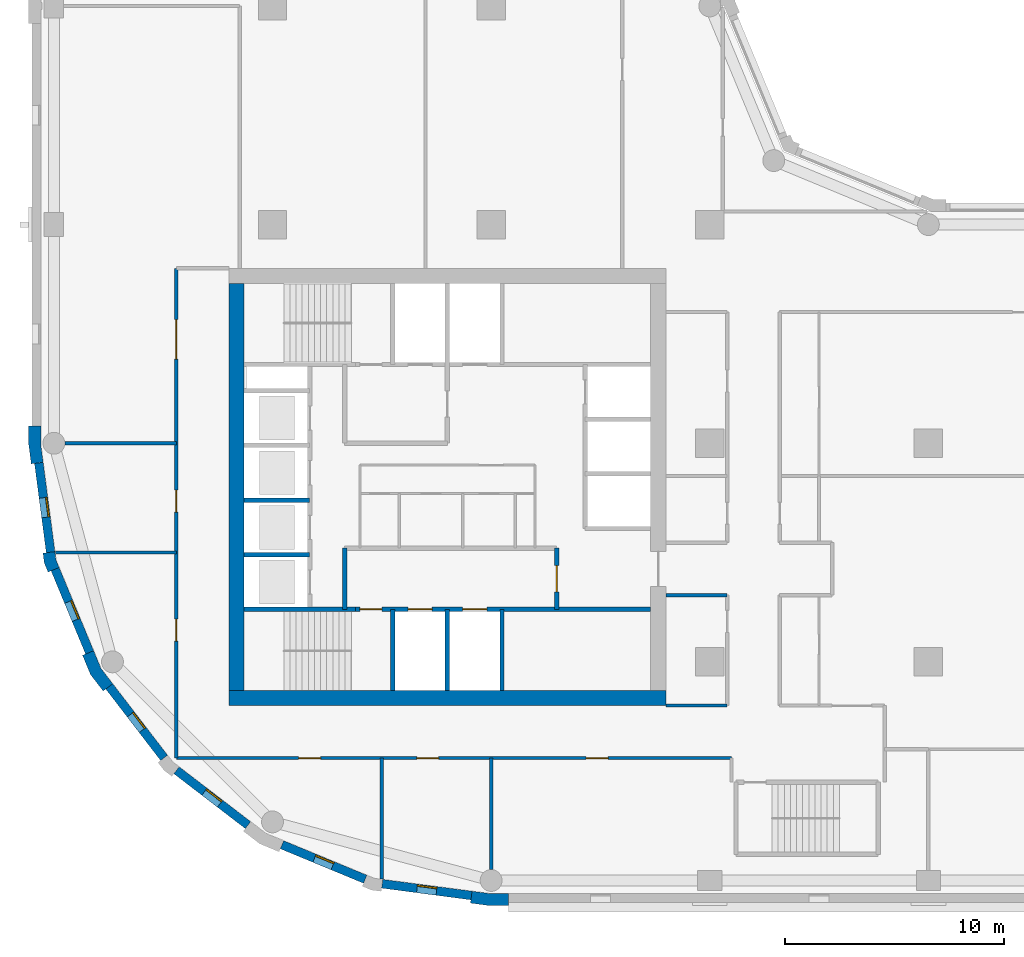
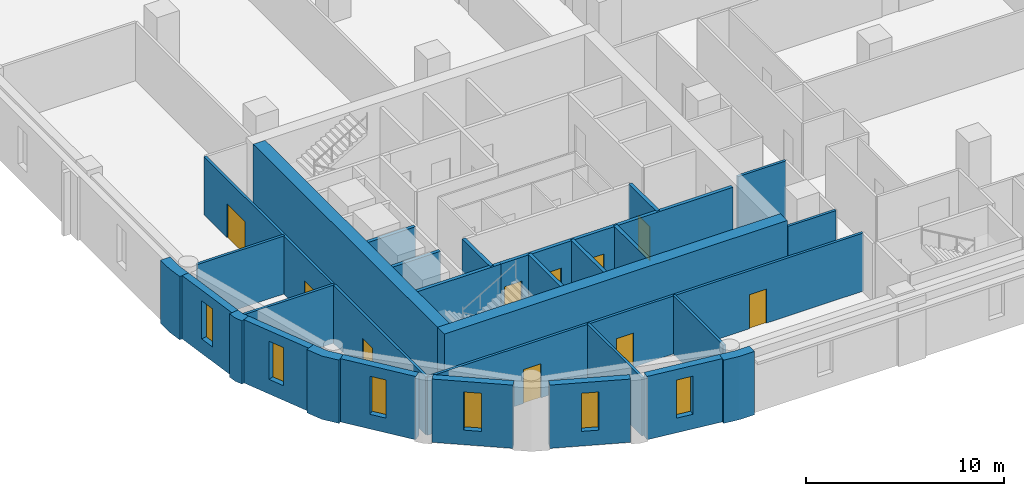
# One storey, part 2 of 9: 29 walls, 10 doors, 6 windows, 16 openings.
"""IFC4 building model written with IfcOpenShell, lengths in metres."""

from ifc_helpers import new_model, si_unit, direction, frame, frame_2d, origin, place, context, subcontext, project, spatial, polyline, rectangle, outline, extrude, material, layer, layer_set, type_object, element, fill, save


model = new_model("IFC4")

# Units and contexts
model_context = context("Model", 3, precision=1e-05, world=origin(), true_north=direction((0.0, 1.0)))
body_context = subcontext(model_context, "Body", "Model", "MODEL_VIEW")
ifc_project = project(units=[si_unit("LENGTHUNIT", "METRE"), si_unit("AREAUNIT", "SQUARE_METRE"), si_unit("VOLUMEUNIT", "CUBIC_METRE"), si_unit("PLANEANGLEUNIT", "RADIAN"), si_unit("MASSUNIT", "GRAM", prefix="KILO")], contexts=[model_context])

# Site, building, storey
site_placement = place(None, origin())
site = spatial("IfcSite", under=ifc_project, at=site_placement, CompositionType="ELEMENT")
building_placement = place(site_placement, origin())
building = spatial("IfcBuilding", under=site, at=building_placement, Name="Qaws Garden Tower", CompositionType="ELEMENT")
storey_placement = place(building_placement, frame((0.0, 0.0, 166.800048828125)))
storey = spatial("IfcBuildingStorey", under=building, at=storey_placement, Name="L40", CompositionType="ELEMENT", Elevation=166.800048828125)

# Wall, opening, window
ifc_material_1 = material(Name="Buff clay facing brick masonry", Category="masonry")
ifc_layer_1 = layer(ifc_material_1, 0.39990234375)
ifc_layer_set_1 = layer_set([ifc_layer_1], Name="Buff clay facing brick masonry")
wall_type_1 = type_object("IfcWallType", Name="Buff brick infill wall 400", PredefinedType="SOLIDWALL", material=ifc_layer_set_1)
wall_1_placement = place(storey_placement, frame((-0.688720703125, 19.102294921875, 0.0), z_axis=(0.0, 0.0, 1.0), x_axis=(0.130514280502, -0.991446429508, 0.0)))
wall_1 = element("IfcWall", 1, at=wall_1_placement, inside=storey, type_object=wall_type_1, Name="E-L40-infill-25", PredefinedType="SOLIDWALL", context=body_context, shape_type="SweptSolid", body=[
    extrude(rectangle(XDim=4.120849609375, YDim=0.39990234375, at=frame_2d((2.060546875, 0.0))), origin(), (0.0, 0.0, 1.0), 3.89990234375),
])
opening_1_placement = place(wall_1_placement, frame((1.610595703125, 0.0, 0.89990234375)))
opening_1 = element("IfcOpeningElement", 2, at=opening_1_placement, cuts=wall_1, Name="Opening W09", PredefinedType="OPENING", context=body_context, shape_type="SweptSolid", body=[
    extrude(rectangle(XDim=0.89990234375, YDim=2.35009765625, at=frame_2d((0.449951171875, 1.175048828125))), frame((0.0, 0.2099609375, 0.0), z_axis=(0.0, -1.0, 0.0), x_axis=(1.0, 0.0, 0.0)), (0.0, 0.0, 1.0), 0.419921875),
])
ifc_material_2 = material(Name="Aluminium framed window, clear glazing", Category="aluminium")
window_type = type_object("IfcWindowType", Name="Slit window 900 x 2350", PartitioningType="SINGLE_PANEL", PredefinedType="WINDOW", material=ifc_material_2)
window_1_placement = place(opening_1_placement, origin())
window_1 = element("IfcWindow", 3, at=window_1_placement, inside=storey, type_object=window_type, Name="E-L40-window-25-0", OverallHeight=2.35009765625, OverallWidth=0.89990234375, PartitioningType="SINGLE_PANEL", PredefinedType="WINDOW", context=body_context, shape_type="SweptSolid", body=[
    extrude(rectangle(XDim=0.89990234375, YDim=2.35009765625, at=frame_2d((0.449951171875, 1.175048828125))), frame((0.0, 0.159912109375, 0.0), z_axis=(0.0, -1.0, 0.0), x_axis=(1.0, 0.0, 0.0)), (0.0, 0.0, 1.0), 0.06005859375),
])
fill(opening_1, window_1)

wall_2_placement = place(storey_placement, frame((0.05712890625, 14.240234375, 0.0), z_axis=(0.0, 0.0, 1.0), x_axis=(0.382721546029, -0.923863744394, 0.0)))
wall_2 = element("IfcWall", 4, at=wall_2_placement, inside=storey, type_object=wall_type_1, Name="E-L40-infill-26", PredefinedType="SOLIDWALL", context=body_context, shape_type="SweptSolid", body=[
    extrude(rectangle(XDim=4.120849609375, YDim=0.39990234375, at=frame_2d((2.060546875, 0.0))), origin(), (0.0, 0.0, 1.0), 3.89990234375),
])
opening_2_placement = place(wall_2_placement, frame((1.610595703125, 0.0, 0.89990234375)))
opening_2 = element("IfcOpeningElement", 5, at=opening_2_placement, cuts=wall_2, Name="Opening W09", PredefinedType="OPENING", context=body_context, shape_type="SweptSolid", body=[
    extrude(rectangle(XDim=0.89990234375, YDim=2.35009765625, at=frame_2d((0.449951171875, 1.175048828125))), frame((0.0, 0.2099609375, 0.0), z_axis=(0.0, -1.0, 0.0), x_axis=(1.0, 0.0, 0.0)), (0.0, 0.0, 1.0), 0.419921875),
])
window_2_placement = place(opening_2_placement, origin())
window_2 = element("IfcWindow", 6, at=window_2_placement, inside=storey, type_object=window_type, Name="E-L40-window-26-0", OverallHeight=2.35009765625, OverallWidth=0.89990234375, PartitioningType="SINGLE_PANEL", PredefinedType="WINDOW", context=body_context, shape_type="SweptSolid", body=[
    extrude(rectangle(XDim=0.89990234375, YDim=2.35009765625, at=frame_2d((0.449951171875, 1.175048828125))), frame((0.0, 0.159912109375, 0.0), z_axis=(0.0, -1.0, 0.0), x_axis=(1.0, 0.0, 0.0)), (0.0, 0.0, 1.0), 0.06005859375),
])
fill(opening_2, window_2)

wall_3_placement = place(storey_placement, frame((2.53173828125, 8.87841796875, 0.0), z_axis=(0.0, 0.0, 1.0), x_axis=(0.608759824817, -0.793354571229, 0.0)))
wall_3 = element("IfcWall", 7, at=wall_3_placement, inside=storey, type_object=wall_type_1, Name="E-L40-infill-27", PredefinedType="SOLIDWALL", context=body_context, shape_type="SweptSolid", body=[
    extrude(rectangle(XDim=4.12109375, YDim=0.39990234375, at=frame_2d((2.060546875, 0.0))), origin(), (0.0, 0.0, 1.0), 3.89990234375),
])
opening_3_placement = place(wall_3_placement, frame((1.610595703125, 0.0, 0.89990234375)))
opening_3 = element("IfcOpeningElement", 8, at=opening_3_placement, cuts=wall_3, Name="Opening W09", PredefinedType="OPENING", context=body_context, shape_type="SweptSolid", body=[
    extrude(rectangle(XDim=0.89990234375, YDim=2.35009765625, at=frame_2d((0.449951171875, 1.175048828125))), frame((0.0, 0.2099609375, 0.0), z_axis=(0.0, -1.0, 0.0), x_axis=(1.0, 0.0, 0.0)), (0.0, 0.0, 1.0), 0.419921875),
])
window_3_placement = place(opening_3_placement, origin())
window_3 = element("IfcWindow", 9, at=window_3_placement, inside=storey, type_object=window_type, Name="E-L40-window-27-0", OverallHeight=2.35009765625, OverallWidth=0.89990234375, PartitioningType="SINGLE_PANEL", PredefinedType="WINDOW", context=body_context, shape_type="SweptSolid", body=[
    extrude(rectangle(XDim=0.89990234375, YDim=2.35009765625, at=frame_2d((0.449951171875, 1.175048828125))), frame((0.0, 0.159912109375, 0.0), z_axis=(0.0, -1.0, 0.0), x_axis=(1.0, 0.0, 0.0)), (0.0, 0.0, 1.0), 0.06005859375),
])
fill(opening_3, window_3)

wall_4_placement = place(storey_placement, frame((5.60888671875, 5.04052734375, 0.0), z_axis=(0.0, 0.0, 1.0), x_axis=(0.793354571229, -0.608759824817, 0.0)))
wall_4 = element("IfcWall", 10, at=wall_4_placement, inside=storey, type_object=wall_type_1, Name="E-L40-infill-28", PredefinedType="SOLIDWALL", context=body_context, shape_type="SweptSolid", body=[
    extrude(rectangle(XDim=4.12109375, YDim=0.39990234375, at=frame_2d((2.060546875, 0.0))), origin(), (0.0, 0.0, 1.0), 3.89990234375),
])
opening_4_placement = place(wall_4_placement, frame((1.610595703125, 0.0, 0.89990234375)))
opening_4 = element("IfcOpeningElement", 11, at=opening_4_placement, cuts=wall_4, Name="Opening W09", PredefinedType="OPENING", context=body_context, shape_type="SweptSolid", body=[
    extrude(rectangle(XDim=0.89990234375, YDim=2.35009765625, at=frame_2d((0.449951171875, 1.175048828125))), frame((0.0, 0.2099609375, 0.0), z_axis=(0.0, -1.0, 0.0), x_axis=(1.0, 0.0, 0.0)), (0.0, 0.0, 1.0), 0.419921875),
])
window_4_placement = place(opening_4_placement, origin())
window_4 = element("IfcWindow", 12, at=window_4_placement, inside=storey, type_object=window_type, Name="E-L40-window-28-0", OverallHeight=2.35009765625, OverallWidth=0.89990234375, PartitioningType="SINGLE_PANEL", PredefinedType="WINDOW", context=body_context, shape_type="SweptSolid", body=[
    extrude(rectangle(XDim=0.89990234375, YDim=2.35009765625, at=frame_2d((0.449951171875, 1.175048828125))), frame((0.0, 0.159912109375, 0.0), z_axis=(0.0, -1.0, 0.0), x_axis=(1.0, 0.0, 0.0)), (0.0, 0.0, 1.0), 0.06005859375),
])
fill(opening_4, window_4)

wall_5_placement = place(storey_placement, frame((10.43310546875, 1.63427734375, 0.0), z_axis=(0.0, 0.0, 1.0), x_axis=(0.923863744394, -0.382721546029, 0.0)))
wall_5 = element("IfcWall", 13, at=wall_5_placement, inside=storey, type_object=wall_type_1, Name="E-L40-infill-29", PredefinedType="SOLIDWALL", context=body_context, shape_type="SweptSolid", body=[
    extrude(rectangle(XDim=4.120849609375, YDim=0.39990234375, at=frame_2d((2.060546875, 0.0))), origin(), (0.0, 0.0, 1.0), 3.89990234375),
])
opening_5_placement = place(wall_5_placement, frame((1.610595703125, 0.0, 0.89990234375)))
opening_5 = element("IfcOpeningElement", 14, at=opening_5_placement, cuts=wall_5, Name="Opening W09", PredefinedType="OPENING", context=body_context, shape_type="SweptSolid", body=[
    extrude(rectangle(XDim=0.89990234375, YDim=2.35009765625, at=frame_2d((0.449951171875, 1.175048828125))), frame((0.0, 0.2099609375, 0.0), z_axis=(0.0, -1.0, 0.0), x_axis=(1.0, 0.0, 0.0)), (0.0, 0.0, 1.0), 0.419921875),
])
window_5_placement = place(opening_5_placement, origin())
window_5 = element("IfcWindow", 15, at=window_5_placement, inside=storey, type_object=window_type, Name="E-L40-window-29-0", OverallHeight=2.35009765625, OverallWidth=0.89990234375, PartitioningType="SINGLE_PANEL", PredefinedType="WINDOW", context=body_context, shape_type="SweptSolid", body=[
    extrude(rectangle(XDim=0.89990234375, YDim=2.35009765625, at=frame_2d((0.449951171875, 1.175048828125))), frame((0.0, 0.159912109375, 0.0), z_axis=(0.0, -1.0, 0.0), x_axis=(1.0, 0.0, 0.0)), (0.0, 0.0, 1.0), 0.06005859375),
])
fill(opening_5, window_5)

wall_6_placement = place(storey_placement, frame((15.0166015625, -0.15087890625, 0.0), z_axis=(0.0, 0.0, 1.0), x_axis=(0.991446429508, -0.130514280502, 0.0)))
wall_6 = element("IfcWall", 16, at=wall_6_placement, inside=storey, type_object=wall_type_1, Name="E-L40-infill-30", PredefinedType="SOLIDWALL", context=body_context, shape_type="SweptSolid", body=[
    extrude(rectangle(XDim=4.120849609375, YDim=0.39990234375, at=frame_2d((2.060546875, 0.0))), origin(), (0.0, 0.0, 1.0), 3.89990234375),
])
opening_6_placement = place(wall_6_placement, frame((1.610595703125, 0.0, 0.89990234375)))
opening_6 = element("IfcOpeningElement", 17, at=opening_6_placement, cuts=wall_6, Name="Opening W09", PredefinedType="OPENING", context=body_context, shape_type="SweptSolid", body=[
    extrude(rectangle(XDim=0.89990234375, YDim=2.35009765625, at=frame_2d((0.449951171875, 1.175048828125))), frame((0.0, 0.2099609375, 0.0), z_axis=(0.0, -1.0, 0.0), x_axis=(1.0, 0.0, 0.0)), (0.0, 0.0, 1.0), 0.419921875),
])
window_6_placement = place(opening_6_placement, origin())
window_6 = element("IfcWindow", 18, at=window_6_placement, inside=storey, type_object=window_type, Name="E-L40-window-30-0", OverallHeight=2.35009765625, OverallWidth=0.89990234375, PartitioningType="SINGLE_PANEL", PredefinedType="WINDOW", context=body_context, shape_type="SweptSolid", body=[
    extrude(rectangle(XDim=0.89990234375, YDim=2.35009765625, at=frame_2d((0.449951171875, 1.175048828125))), frame((0.0, 0.159912109375, 0.0), z_axis=(0.0, -1.0, 0.0), x_axis=(1.0, 0.0, 0.0)), (0.0, 0.0, 1.0), 0.06005859375),
])
fill(opening_6, window_6)

# Walls
ifc_material_3 = material(Name="Buff clay facing brick masonry", Category="masonry")
ifc_layer_2 = layer(ifc_material_3, 0.550048828125)
ifc_layer_set_2 = layer_set([ifc_layer_2], Name="Buff clay facing brick masonry")
wall_type_2 = type_object("IfcWallType", Name="Buff brick kink pier 550 x 600", PredefinedType="SOLIDWALL", material=ifc_layer_set_2)
placement = place(storey_placement, origin())
element("IfcWall", 19, at=placement, inside=storey, type_object=wall_type_2, Name="E-L40-pier-26", PredefinedType="SOLIDWALL", context=body_context, shape_type="SweptSolid", body=[
    extrude(outline(polyline([(-0.34912109375, 14.990478515625), (-0.497802734375, 14.970947265625), (-0.43896484375, 14.5234375), (-0.26611328125, 14.1064453125), (-0.127685546875, 14.163818359375), (0.241943359375, 14.31689453125), (0.096923828125, 14.6669921875), (0.04736328125, 15.042724609375), (-0.34912109375, 14.990478515625)])), origin(), (0.0, 0.0, 1.0), 3.89990234375),
])
ifc_material_4 = material(Name="Buff clay facing brick masonry", Category="masonry")
ifc_layer_3 = layer(ifc_material_4, 0.550048828125)
ifc_layer_set_3 = layer_set([ifc_layer_3], Name="Buff clay facing brick masonry")
wall_type_3 = type_object("IfcWallType", Name="Buff brick pier 550 x 1600", PredefinedType="SOLIDWALL", material=ifc_layer_set_3)
element("IfcWall", 20, at=placement, inside=storey, type_object=wall_type_3, Name="E-L40-pier-00", PredefinedType="SOLIDWALL", context=body_context, shape_type="SweptSolid", body=[
    extrude(outline(polyline([(19.076416015625, -0.886962890625), (19.056640625, -1.03564453125), (19.924560546875, -1.14990234375), (20.800048828125, -1.14990234375), (20.800048828125, -1.0), (20.800048828125, -0.60009765625), (19.960693359375, -0.60009765625), (19.12841796875, -0.490478515625), (19.076416015625, -0.886962890625)])), origin(), (0.0, 0.0, 1.0), 3.89990234375),
])
element("IfcWall", 21, at=placement, inside=storey, type_object=wall_type_3, Name="E-L40-pier-25", PredefinedType="SOLIDWALL", context=body_context, shape_type="SweptSolid", body=[
    extrude(outline(polyline([(-1.0, 20.800048828125), (-1.14990234375, 20.800048828125), (-1.14990234375, 19.924560546875), (-1.03564453125, 19.056640625), (-0.886962890625, 19.076416015625), (-0.490478515625, 19.12841796875), (-0.60009765625, 19.960693359375), (-0.60009765625, 20.800048828125), (-1.0, 20.800048828125)])), origin(), (0.0, 0.0, 1.0), 3.89990234375),
])
element("IfcWall", 22, at=placement, inside=storey, type_object=wall_type_3, Name="E-L40-pier-27", PredefinedType="SOLIDWALL", context=body_context, shape_type="SweptSolid", body=[
    extrude(outline(polyline([(1.449462890625, 10.3564453125), (1.310791015625, 10.299072265625), (1.675048828125, 9.419921875), (2.254150390625, 8.665283203125), (2.373046875, 8.756591796875), (2.6904296875, 9.0), (2.1552734375, 9.697509765625), (1.819091796875, 10.509521484375), (1.449462890625, 10.3564453125)])), origin(), (0.0, 0.0, 1.0), 3.89990234375),
])
ifc_material_5 = material(Name="Concrete C70", Category="concrete")
ifc_layer_4 = layer(ifc_material_5, 0.199951171875)
ifc_layer_set_4 = layer_set([ifc_layer_4], Name="Concrete C70")
wall_type_4 = type_object("IfcWallType", Name="Core shaft wall 200 C70", PredefinedType="SHEAR", material=ifc_layer_set_4)
wall_11_placement = place(storey_placement, frame((8.699951171875, 12.39990234375, 0.0), z_axis=(0.0, 0.0, 1.0), x_axis=(1.0, 0.0, 0.0)))
element("IfcWall", 23, at=wall_11_placement, inside=storey, type_object=wall_type_4, Name="Shaft wall", PredefinedType="SHEAR", context=body_context, shape_type="SweptSolid", body=[
    extrude(rectangle(XDim=5.10009765625, YDim=0.199951171875, at=frame_2d((2.550048828125, 0.0))), origin(), (0.0, 0.0, 1.0), 3.579833984375),
])

# Wall, openings, doors
wall_12_placement = place(storey_placement, frame((13.800048828125, 12.39990234375, 0.0), z_axis=(0.0, 0.0, 1.0), x_axis=(1.0, 0.0, 0.0)))
wall_12 = element("IfcWall", 24, at=wall_12_placement, inside=storey, type_object=wall_type_4, Name="Shaft wall", PredefinedType="SHEAR", context=body_context, shape_type="SweptSolid", body=[
    extrude(rectangle(XDim=13.5, YDim=0.199951171875, at=frame_2d((6.75, 0.0))), origin(), (0.0, 0.0, 1.0), 3.579833984375),
])
opening_7_placement = place(wall_12_placement, frame((2.39990234375, 0.0, 0.0)))
opening_7 = element("IfcOpeningElement", 25, at=opening_7_placement, cuts=wall_12, Name="Opening LD06", PredefinedType="OPENING", context=body_context, shape_type="SweptSolid", body=[
    extrude(rectangle(XDim=1.10009765625, YDim=2.10009765625, at=frame_2d((0.550048828125, 1.050048828125))), frame((0.0, 0.10986328125, 0.0), z_axis=(0.0, -1.0, 0.0), x_axis=(1.0, 0.0, 0.0)), (0.0, 0.0, 1.0), 0.219970703125),
])
opening_8_placement = place(wall_12_placement, frame((4.89990234375, 0.0, 0.0)))
opening_8 = element("IfcOpeningElement", 26, at=opening_8_placement, cuts=wall_12, Name="Opening LD07", PredefinedType="OPENING", context=body_context, shape_type="SweptSolid", body=[
    extrude(rectangle(XDim=1.10009765625, YDim=2.10009765625, at=frame_2d((0.550048828125, 1.050048828125))), frame((0.0, 0.10986328125, 0.0), z_axis=(0.0, -1.0, 0.0), x_axis=(1.0, 0.0, 0.0)), (0.0, 0.0, 1.0), 0.219970703125),
])
opening_9_placement = place(wall_12_placement, frame((0.199951171875, 0.0, 0.0)))
opening_9 = element("IfcOpeningElement", 27, at=opening_9_placement, cuts=wall_12, Name="Opening SD10", PredefinedType="OPENING", context=body_context, shape_type="SweptSolid", body=[
    extrude(rectangle(XDim=1.0, YDim=2.10009765625, at=frame_2d((0.5, 1.050048828125))), frame((0.0, 0.10986328125, 0.0), z_axis=(0.0, -1.0, 0.0), x_axis=(1.0, 0.0, 0.0)), (0.0, 0.0, 1.0), 0.219970703125),
])
ifc_material_6 = material(Name="Steel S235", Category="steel")
door_type_1 = type_object("IfcDoorType", Name="Landing door 1100x2100", OperationType="DOUBLE_DOOR_SLIDING", PredefinedType="DOOR", material=ifc_material_6)
door_1_placement = place(opening_7_placement, origin())
door_1 = element("IfcDoor", 28, at=door_1_placement, inside=storey, type_object=door_type_1, Name="Lift FF1 landing door", OperationType="DOUBLE_DOOR_SLIDING", OverallHeight=2.10009765625, OverallWidth=1.10009765625, PredefinedType="DOOR", context=body_context, shape_type="SweptSolid", body=[
    extrude(rectangle(XDim=1.10009765625, YDim=2.10009765625, at=frame_2d((0.550048828125, 1.050048828125))), frame((0.0, 0.02490234375, 0.0), z_axis=(0.0, -1.0, 0.0), x_axis=(1.0, 0.0, 0.0)), (0.0, 0.0, 1.0), 0.050048828125),
])
fill(opening_7, door_1)
door_2_placement = place(opening_8_placement, origin())
door_2 = element("IfcDoor", 29, at=door_2_placement, inside=storey, type_object=door_type_1, Name="Lift FF2 landing door", OperationType="DOUBLE_DOOR_SLIDING", OverallHeight=2.10009765625, OverallWidth=1.10009765625, PredefinedType="DOOR", context=body_context, shape_type="SweptSolid", body=[
    extrude(rectangle(XDim=1.10009765625, YDim=2.10009765625, at=frame_2d((0.550048828125, 1.050048828125))), frame((0.0, 0.02490234375, 0.0), z_axis=(0.0, -1.0, 0.0), x_axis=(1.0, 0.0, 0.0)), (0.0, 0.0, 1.0), 0.050048828125),
])
fill(opening_8, door_2)
ifc_material_7 = material(Name="Steel S235", Category="steel")
door_type_2 = type_object("IfcDoorType", Name="Stair door 1000x2100", OperationType="SINGLE_SWING_RIGHT", PredefinedType="DOOR", material=ifc_material_7)
door_3_placement = place(opening_9_placement, frame((1.0, 0.0, 0.0), z_axis=(0.0, 0.0, 1.0), x_axis=(-1.0, 0.0, 0.0)))
door_3 = element("IfcDoor", 30, at=door_3_placement, inside=storey, type_object=door_type_2, Name="Stair 1 door", OperationType="SINGLE_SWING_LEFT", OverallHeight=2.10009765625, OverallWidth=1.0, PredefinedType="DOOR", context=body_context, shape_type="SweptSolid", body=[
    extrude(rectangle(XDim=1.0, YDim=2.10009765625, at=frame_2d((0.5, 1.050048828125))), frame((0.0, 0.02490234375, 0.0), z_axis=(0.0, -1.0, 0.0), x_axis=(1.0, 0.0, 0.0)), (0.0, 0.0, 1.0), 0.050048828125),
])
fill(opening_9, door_3)

# Walls
for number, where, z_axis, x_axis, name in (
    (31, (8.699951171875, 14.89990234375, 0.0), (0.0, 0.0, 1.0), (1.0, 0.0, 0.0), "Shaft wall"),
    (32, (8.699951171875, 17.39990234375, 0.0), (0.0, 0.0, 1.0), (1.0, 0.0, 0.0), "Shaft wall"),
):
    element("IfcWall", number, at=place(storey_placement, frame(where, z_axis=z_axis, x_axis=x_axis)), inside=storey, type_object=wall_type_4, Name=name, PredefinedType="SHEAR", context=body_context, shape_type="SweptSolid", body=[
        extrude(rectangle(XDim=3.0, YDim=0.199951171875, at=frame_2d((1.5, 0.0))), origin(), (0.0, 0.0, 1.0), 3.579833984375),
    ])
wall_13_placement = place(storey_placement, frame((13.300048828125, 12.39990234375, 0.0), z_axis=(0.0, 0.0, 1.0), x_axis=(0.0, 1.0, 0.0)))
element("IfcWall", 33, at=wall_13_placement, inside=storey, type_object=wall_type_4, Name="Shaft wall", PredefinedType="SHEAR", context=body_context, shape_type="SweptSolid", body=[
    extrude(rectangle(XDim=2.800048828125, YDim=0.199951171875, at=frame_2d((1.39990234375, 0.0))), origin(), (0.0, 0.0, 1.0), 3.579833984375),
])
for number, where, z_axis, x_axis, name in (
    (34, (15.5, 8.699951171875, 0.0), (0.0, 0.0, 1.0), (0.0, 1.0, 0.0), "Shaft wall"),
    (35, (18.0, 8.699951171875, 0.0), (0.0, 0.0, 1.0), (0.0, 1.0, 0.0), "Shaft wall"),
    (36, (20.5, 8.699951171875, 0.0), (0.0, 0.0, 1.0), (0.0, 1.0, 0.0), "Shaft wall"),
):
    element("IfcWall", number, at=place(storey_placement, frame(where, z_axis=z_axis, x_axis=x_axis)), inside=storey, type_object=wall_type_4, Name=name, PredefinedType="SHEAR", context=body_context, shape_type="SweptSolid", body=[
        extrude(rectangle(XDim=3.699951171875, YDim=0.199951171875, at=frame_2d((1.85009765625, 0.0))), origin(), (0.0, 0.0, 1.0), 3.579833984375),
    ])

# Wall, opening, door
wall_14_placement = place(storey_placement, frame((23.0, 12.39990234375, 0.0), z_axis=(0.0, 0.0, 1.0), x_axis=(0.0, 1.0, 0.0)))
wall_14 = element("IfcWall", 37, at=wall_14_placement, inside=storey, type_object=wall_type_4, Name="Shaft wall", PredefinedType="SHEAR", context=body_context, shape_type="SweptSolid", body=[
    extrude(rectangle(XDim=2.800048828125, YDim=0.199951171875, at=frame_2d((1.39990234375, 0.0))), origin(), (0.0, 0.0, 1.0), 3.579833984375),
])
opening_10_placement = place(wall_14_placement, frame((0.800048828125, 0.0, 0.0)))
opening_10 = element("IfcOpeningElement", 38, at=opening_10_placement, cuts=wall_14, Name="Opening FD15", PredefinedType="OPENING", context=body_context, shape_type="SweptSolid", body=[
    extrude(rectangle(XDim=1.199951171875, YDim=2.10009765625, at=frame_2d((0.60009765625, 1.050048828125))), frame((0.0, 0.10986328125, 0.0), z_axis=(0.0, -1.0, 0.0), x_axis=(1.0, 0.0, 0.0)), (0.0, 0.0, 1.0), 0.219970703125),
])
ifc_material_8 = material(Name="Steel S235", Category="steel")
door_type_3 = type_object("IfcDoorType", Name="Lobby door 1200x2100", OperationType="DOUBLE_DOOR_SINGLE_SWING", PredefinedType="DOOR", material=ifc_material_8)
door_4_placement = place(opening_10_placement, origin())
door_4 = element("IfcDoor", 39, at=door_4_placement, inside=storey, type_object=door_type_3, Name="Fire-fighting lobby door", OperationType="DOUBLE_DOOR_SINGLE_SWING", OverallHeight=2.10009765625, OverallWidth=1.199951171875, PredefinedType="DOOR", context=body_context, shape_type="SweptSolid", body=[
    extrude(rectangle(XDim=1.199951171875, YDim=2.10009765625, at=frame_2d((0.60009765625, 1.050048828125))), frame((0.0, 0.02490234375, 0.0), z_axis=(0.0, -1.0, 0.0), x_axis=(1.0, 0.0, 0.0)), (0.0, 0.0, 1.0), 0.050048828125),
])
fill(opening_10, door_4)

# Walls
ifc_material_9 = material(Name="Concrete C70", Category="concrete")
ifc_layer_5 = layer(ifc_material_9, 0.699951171875)
ifc_layer_set_5 = layer_set([ifc_layer_5], Name="Concrete C70")
wall_type_5 = type_object("IfcWallType", Name="Core wall 700 C70", PredefinedType="SHEAR", material=ifc_layer_set_5)
wall_15_placement = place(storey_placement, frame((8.0, 8.35009765625, 0.0), z_axis=(0.0, 0.0, 1.0), x_axis=(1.0, 0.0, 0.0)))
element("IfcWall", 40, at=wall_15_placement, inside=storey, type_object=wall_type_5, Name="Core wall L40 south", PredefinedType="SHEAR", context=body_context, shape_type="SweptSolid", body=[
    extrude(rectangle(XDim=20.0, YDim=0.699951171875, at=frame_2d((10.0, 0.0))), origin(), (0.0, 0.0, 1.0), 3.89990234375),
])
wall_16_placement = place(storey_placement, frame((8.35009765625, 27.300048828125, 0.0), z_axis=(0.0, 0.0, 1.0), x_axis=(0.0, -1.0, 0.0)))
element("IfcWall", 41, at=wall_16_placement, inside=storey, type_object=wall_type_5, Name="Core wall L40 west", PredefinedType="SHEAR", context=body_context, shape_type="SweptSolid", body=[
    extrude(rectangle(XDim=18.60009765625, YDim=0.699951171875, at=frame_2d((9.300048828125, 0.0))), origin(), (0.0, 0.0, 1.0), 3.89990234375),
])

# Wall, openings, doors
ifc_material_10 = material(Name="Gypsum board partition")
ifc_layer_6 = layer(ifc_material_10, 0.14990234375)
ifc_layer_set_6 = layer_set([ifc_layer_6], Name="Gypsum board partition")
wall_type_6 = type_object("IfcWallType", Name="PARTITION 150 EI 60", PredefinedType="PARTITIONING", material=ifc_layer_set_6)
wall_17_placement = place(storey_placement, frame((5.60009765625, 5.60009765625, 0.0), z_axis=(0.0, 0.0, 1.0), x_axis=(0.0, 1.0, 0.0)))
wall_17 = element("IfcWall", 42, at=wall_17_placement, inside=storey, type_object=wall_type_6, Name="O-L40-wall-006", PredefinedType="PARTITIONING", context=body_context, shape_type="SweptSolid", body=[
    extrude(rectangle(XDim=22.39990234375, YDim=0.14990234375, at=frame_2d((11.199951171875, 0.0))), origin(), (0.0, 0.0, 1.0), 3.579833984375),
])
opening_11_placement = place(wall_17_placement, frame((5.35009765625, 0.0, 0.0)))
opening_11 = element("IfcOpeningElement", 43, at=opening_11_placement, cuts=wall_17, Name="Opening B401", PredefinedType="OPENING", context=body_context, shape_type="SweptSolid", body=[
    extrude(rectangle(XDim=1.0, YDim=2.10009765625, at=frame_2d((0.5, 1.050048828125))), frame((0.0, 0.0849609375, 0.0), z_axis=(0.0, -1.0, 0.0), x_axis=(1.0, 0.0, 0.0)), (0.0, 0.0, 1.0), 0.169921875),
])
opening_12_placement = place(wall_17_placement, frame((11.25, 0.0, 0.0)))
opening_12 = element("IfcOpeningElement", 44, at=opening_12_placement, cuts=wall_17, Name="Opening B402", PredefinedType="OPENING", context=body_context, shape_type="SweptSolid", body=[
    extrude(rectangle(XDim=1.0, YDim=2.10009765625, at=frame_2d((0.5, 1.050048828125))), frame((0.0, 0.0849609375, 0.0), z_axis=(0.0, -1.0, 0.0), x_axis=(1.0, 0.0, 0.0)), (0.0, 0.0, 1.0), 0.169921875),
])
opening_13_placement = place(wall_17_placement, frame((18.25, 0.0, 0.0)))
opening_13 = element("IfcOpeningElement", 45, at=opening_13_placement, cuts=wall_17, Name="Opening B410", PredefinedType="OPENING", context=body_context, shape_type="SweptSolid", body=[
    extrude(rectangle(XDim=1.800048828125, YDim=2.10009765625, at=frame_2d((0.89990234375, 1.050048828125))), frame((0.0, 0.0849609375, 0.0), z_axis=(0.0, -1.0, 0.0), x_axis=(1.0, 0.0, 0.0)), (0.0, 0.0, 1.0), 0.169921875),
])
ifc_material_11 = material(Name="Timber door leaf", Category="wood")
door_type_4 = type_object("IfcDoorType", Name="DOUBLE DOOR 1800 X 2100", OperationType="DOUBLE_DOOR_SINGLE_SWING", PredefinedType="DOOR", material=ifc_material_11)
door_5_placement = place(opening_13_placement, origin())
door_5 = element("IfcDoor", 46, at=door_5_placement, inside=storey, type_object=door_type_4, Name="O-L40-door-010", OperationType="DOUBLE_DOOR_SINGLE_SWING", OverallHeight=2.10009765625, OverallWidth=1.800048828125, PredefinedType="DOOR", context=body_context, shape_type="SweptSolid", body=[
    extrude(rectangle(XDim=1.800048828125, YDim=2.10009765625, at=frame_2d((0.89990234375, 1.050048828125))), frame((0.0, 0.02490234375, 0.0), z_axis=(0.0, -1.0, 0.0), x_axis=(1.0, 0.0, 0.0)), (0.0, 0.0, 1.0), 0.050048828125),
])
fill(opening_13, door_5)
ifc_material_12 = material(Name="Timber door leaf", Category="wood")
door_type_5 = type_object("IfcDoorType", Name="TENANCY ENTRANCE DOOR 1000 X 2100", OperationType="SINGLE_SWING_LEFT", PredefinedType="DOOR", material=ifc_material_12)
door_6_placement = place(opening_11_placement, origin())
door_6 = element("IfcDoor", 47, at=door_6_placement, inside=storey, type_object=door_type_5, Name="O-L40-door-001", OperationType="SINGLE_SWING_RIGHT", OverallHeight=2.10009765625, OverallWidth=1.0, PredefinedType="DOOR", context=body_context, shape_type="SweptSolid", body=[
    extrude(rectangle(XDim=1.0, YDim=2.10009765625, at=frame_2d((0.5, 1.050048828125))), frame((0.0, 0.02490234375, 0.0), z_axis=(0.0, -1.0, 0.0), x_axis=(1.0, 0.0, 0.0)), (0.0, 0.0, 1.0), 0.050048828125),
])
fill(opening_11, door_6)
door_7_placement = place(opening_12_placement, origin())
door_7 = element("IfcDoor", 48, at=door_7_placement, inside=storey, type_object=door_type_5, Name="O-L40-door-002", OperationType="SINGLE_SWING_RIGHT", OverallHeight=2.10009765625, OverallWidth=1.0, PredefinedType="DOOR", context=body_context, shape_type="SweptSolid", body=[
    extrude(rectangle(XDim=1.0, YDim=2.10009765625, at=frame_2d((0.5, 1.050048828125))), frame((0.0, 0.02490234375, 0.0), z_axis=(0.0, -1.0, 0.0), x_axis=(1.0, 0.0, 0.0)), (0.0, 0.0, 1.0), 0.050048828125),
])
fill(opening_12, door_7)

# Walls
wall_18_placement = place(storey_placement, frame((15.0, 0.06298828125, 0.0), z_axis=(0.0, 0.0, 1.0), x_axis=(0.0, 1.0, 0.0)))
element("IfcWall", 49, at=wall_18_placement, inside=storey, type_object=wall_type_6, Name="O-L40-wall-010", PredefinedType="PARTITIONING", context=body_context, shape_type="SweptSolid", body=[
    extrude(rectangle(XDim=5.537109375, YDim=0.14990234375, at=frame_2d((2.7685546875, 0.0))), origin(), (0.0, 0.0, 1.0), 3.579833984375),
])
wall_19_placement = place(storey_placement, frame((20.0, 0.5, 0.0), z_axis=(0.0, 0.0, 1.0), x_axis=(0.0, 1.0, 0.0)))
element("IfcWall", 50, at=wall_19_placement, inside=storey, type_object=wall_type_6, Name="O-L40-wall-013", PredefinedType="PARTITIONING", context=body_context, shape_type="SweptSolid", body=[
    extrude(rectangle(XDim=5.10009765625, YDim=0.14990234375, at=frame_2d((2.550048828125, 0.0))), origin(), (0.0, 0.0, 1.0), 3.579833984375),
])

# Wall, openings, doors
wall_20_placement = place(storey_placement, frame((5.60009765625, 5.60009765625, 0.0), z_axis=(0.0, 0.0, 1.0), x_axis=(1.0, 0.0, 0.0)))
wall_20 = element("IfcWall", 51, at=wall_20_placement, inside=storey, type_object=wall_type_6, Name="O-L40-wall-029", PredefinedType="PARTITIONING", context=body_context, shape_type="SweptSolid", body=[
    extrude(rectangle(XDim=25.39990234375, YDim=0.14990234375, at=frame_2d((12.699951171875, 0.0))), origin(), (0.0, 0.0, 1.0), 3.579833984375),
])
opening_14_placement = place(wall_20_placement, frame((5.60009765625, 0.0, 0.0)))
opening_14 = element("IfcOpeningElement", 52, at=opening_14_placement, cuts=wall_20, Name="Opening B411", PredefinedType="OPENING", context=body_context, shape_type="SweptSolid", body=[
    extrude(rectangle(XDim=1.0, YDim=2.10009765625, at=frame_2d((0.5, 1.050048828125))), frame((0.0, 0.0849609375, 0.0), z_axis=(0.0, -1.0, 0.0), x_axis=(1.0, 0.0, 0.0)), (0.0, 0.0, 1.0), 0.169921875),
])
opening_15_placement = place(wall_20_placement, frame((11.0, 0.0, 0.0)))
opening_15 = element("IfcOpeningElement", 53, at=opening_15_placement, cuts=wall_20, Name="Opening B414", PredefinedType="OPENING", context=body_context, shape_type="SweptSolid", body=[
    extrude(rectangle(XDim=1.0, YDim=2.10009765625, at=frame_2d((0.5, 1.050048828125))), frame((0.0, 0.0849609375, 0.0), z_axis=(0.0, -1.0, 0.0), x_axis=(1.0, 0.0, 0.0)), (0.0, 0.0, 1.0), 0.169921875),
])
opening_16_placement = place(wall_20_placement, frame((18.75, 0.0, 0.0)))
opening_16 = element("IfcOpeningElement", 54, at=opening_16_placement, cuts=wall_20, Name="Opening B415", PredefinedType="OPENING", context=body_context, shape_type="SweptSolid", body=[
    extrude(rectangle(XDim=1.0, YDim=2.10009765625, at=frame_2d((0.5, 1.050048828125))), frame((0.0, 0.0849609375, 0.0), z_axis=(0.0, -1.0, 0.0), x_axis=(1.0, 0.0, 0.0)), (0.0, 0.0, 1.0), 0.169921875),
])
door_8_placement = place(opening_14_placement, frame((1.0, 0.0, 0.0), z_axis=(0.0, 0.0, 1.0), x_axis=(-1.0, 0.0, 0.0)))
door_8 = element("IfcDoor", 55, at=door_8_placement, inside=storey, type_object=door_type_5, Name="O-L40-door-011", OperationType="SINGLE_SWING_LEFT", OverallHeight=2.10009765625, OverallWidth=1.0, PredefinedType="DOOR", context=body_context, shape_type="SweptSolid", body=[
    extrude(rectangle(XDim=1.0, YDim=2.10009765625, at=frame_2d((0.5, 1.050048828125))), frame((0.0, 0.02490234375, 0.0), z_axis=(0.0, -1.0, 0.0), x_axis=(1.0, 0.0, 0.0)), (0.0, 0.0, 1.0), 0.050048828125),
])
fill(opening_14, door_8)
door_9_placement = place(opening_15_placement, frame((1.0, 0.0, 0.0), z_axis=(0.0, 0.0, 1.0), x_axis=(-1.0, 0.0, 0.0)))
door_9 = element("IfcDoor", 56, at=door_9_placement, inside=storey, type_object=door_type_5, Name="O-L40-door-014", OperationType="SINGLE_SWING_LEFT", OverallHeight=2.10009765625, OverallWidth=1.0, PredefinedType="DOOR", context=body_context, shape_type="SweptSolid", body=[
    extrude(rectangle(XDim=1.0, YDim=2.10009765625, at=frame_2d((0.5, 1.050048828125))), frame((0.0, 0.02490234375, 0.0), z_axis=(0.0, -1.0, 0.0), x_axis=(1.0, 0.0, 0.0)), (0.0, 0.0, 1.0), 0.050048828125),
])
fill(opening_15, door_9)
door_10_placement = place(opening_16_placement, frame((1.0, 0.0, 0.0), z_axis=(0.0, 0.0, 1.0), x_axis=(-1.0, 0.0, 0.0)))
door_10 = element("IfcDoor", 57, at=door_10_placement, inside=storey, type_object=door_type_5, Name="O-L40-door-015", OperationType="SINGLE_SWING_LEFT", OverallHeight=2.10009765625, OverallWidth=1.0, PredefinedType="DOOR", context=body_context, shape_type="SweptSolid", body=[
    extrude(rectangle(XDim=1.0, YDim=2.10009765625, at=frame_2d((0.5, 1.050048828125))), frame((0.0, 0.02490234375, 0.0), z_axis=(0.0, -1.0, 0.0), x_axis=(1.0, 0.0, 0.0)), (0.0, 0.0, 1.0), 0.050048828125),
])
fill(opening_16, door_10)

# Walls
for number, where, z_axis, x_axis, name in (
    (58, (28.0, 8.0, 0.0), (0.0, 0.0, 1.0), (1.0, 0.0, 0.0), "O-L40-wall-032"),
    (59, (28.0, 13.050048828125, 0.0), (0.0, 0.0, 1.0), (1.0, 0.0, 0.0), "O-L40-wall-034"),
):
    element("IfcWall", number, at=place(storey_placement, frame(where, z_axis=z_axis, x_axis=x_axis)), inside=storey, type_object=wall_type_6, Name=name, PredefinedType="PARTITIONING", context=body_context, shape_type="SweptSolid", body=[
        extrude(rectangle(XDim=2.800048828125, YDim=0.14990234375, at=frame_2d((1.39990234375, 0.0))), origin(), (0.0, 0.0, 1.0), 3.579833984375),
    ])
wall_21_placement = place(storey_placement, frame((0.06298828125, 15.0, 0.0), z_axis=(0.0, 0.0, 1.0), x_axis=(1.0, 0.0, 0.0)))
element("IfcWall", 60, at=wall_21_placement, inside=storey, type_object=wall_type_6, Name="O-L40-wall-036", PredefinedType="PARTITIONING", context=body_context, shape_type="SweptSolid", body=[
    extrude(rectangle(XDim=5.537109375, YDim=0.14990234375, at=frame_2d((2.7685546875, 0.0))), origin(), (0.0, 0.0, 1.0), 3.579833984375),
])
wall_22_placement = place(storey_placement, frame((0.5, 20.0, 0.0), z_axis=(0.0, 0.0, 1.0), x_axis=(1.0, 0.0, 0.0)))
element("IfcWall", 61, at=wall_22_placement, inside=storey, type_object=wall_type_6, Name="O-L40-wall-041", PredefinedType="PARTITIONING", context=body_context, shape_type="SweptSolid", body=[
    extrude(rectangle(XDim=5.10009765625, YDim=0.14990234375, at=frame_2d((2.550048828125, 0.0))), origin(), (0.0, 0.0, 1.0), 3.579833984375),
])

save(model, "model.ifc")
